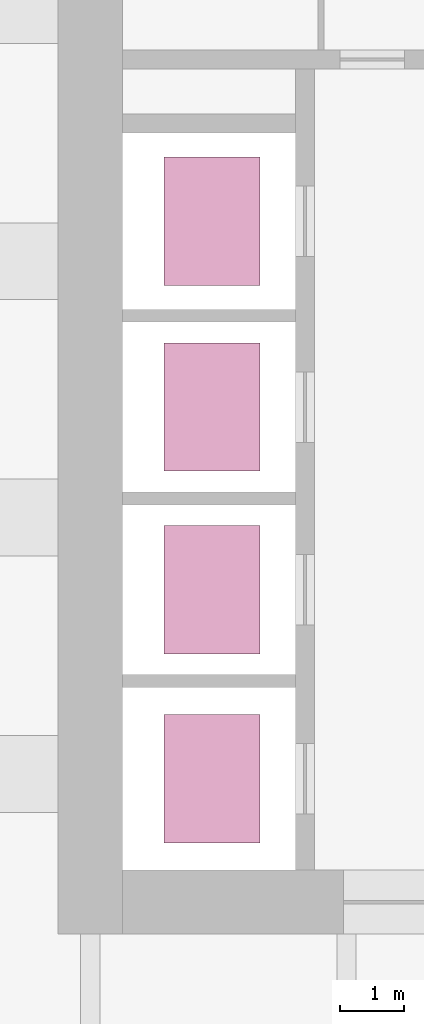
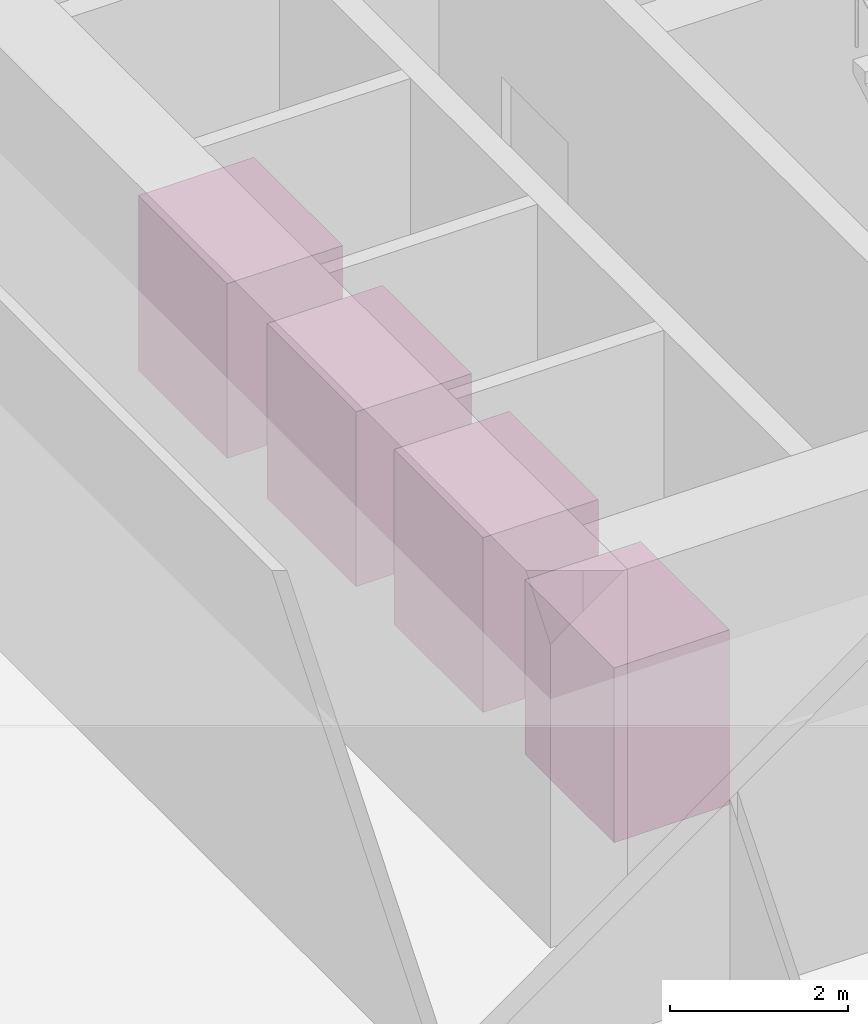
# One storey, part 16 of 16: 4 transport elements.
"""IFC4 building model written with IfcOpenShell, lengths in metres."""

from ifc_helpers import new_model, si_unit, direction, frame, origin, origin_2d, place, context, subcontext, project, spatial, rectangle, extrude, material, type_object, element, save


model = new_model("IFC4")

# Units and contexts
model_context = context("Model", 3, precision=1e-05, world=origin(), true_north=direction((0.0, 1.0)))
body_context = subcontext(model_context, "Body", "Model", "MODEL_VIEW")
ifc_project = project(units=[si_unit("LENGTHUNIT", "METRE"), si_unit("AREAUNIT", "SQUARE_METRE"), si_unit("VOLUMEUNIT", "CUBIC_METRE"), si_unit("PLANEANGLEUNIT", "RADIAN"), si_unit("MASSUNIT", "GRAM", prefix="KILO")], contexts=[model_context])

# Site, building, storey
site_placement = place(None, origin())
site = spatial("IfcSite", under=ifc_project, at=site_placement, CompositionType="ELEMENT")
building_placement = place(site_placement, origin())
building = spatial("IfcBuilding", under=site, at=building_placement, Name="Rimbunsela Tower", CompositionType="ELEMENT")
storey_placement = place(building_placement, frame((0.0, 0.0, 76.39990234375)))
storey = spatial("IfcBuildingStorey", under=building, at=storey_placement, Name="L18", CompositionType="ELEMENT", Elevation=76.39990234375)

# Transport elements
ifc_material = material(Name="Steel lift car", Category="steel")
transport_element_type = type_object("IfcTransportElementType", Name="Passenger lift 1350", PredefinedType="ELEVATOR", material=ifc_material)
for number, where, z_axis, x_axis, name in (
    (1, (19.89990234375, 19.925048828125, 0.000244140625), (0.0, 0.0, 1.0), (1.0, 0.0, 0.0), "Mid-rise lift ML1"),
    (2, (19.89990234375, 22.875, 0.000244140625), (0.0, 0.0, 1.0), (1.0, 0.0, 0.0), "Mid-rise lift ML2"),
    (3, (19.89990234375, 25.72509765625, 0.000244140625), (0.0, 0.0, 1.0), (1.0, 0.0, 0.0), "Mid-rise lift ML3"),
    (4, (19.89990234375, 28.625, 0.000244140625), (0.0, 0.0, 1.0), (1.0, 0.0, 0.0), "Mid-rise lift ML4"),
):
    element("IfcTransportElement", number, at=place(storey_placement, frame(where, z_axis=z_axis, x_axis=x_axis)), inside=storey, type_object=transport_element_type, Name=name, PredefinedType="ELEVATOR", context=body_context, shape_type="SweptSolid", body=[
        extrude(rectangle(XDim=1.5, YDim=2.0, at=origin_2d()), origin(), (0.0, 0.0, 1.0), 2.39990234375),
    ])

save(model, "model.ifc")
